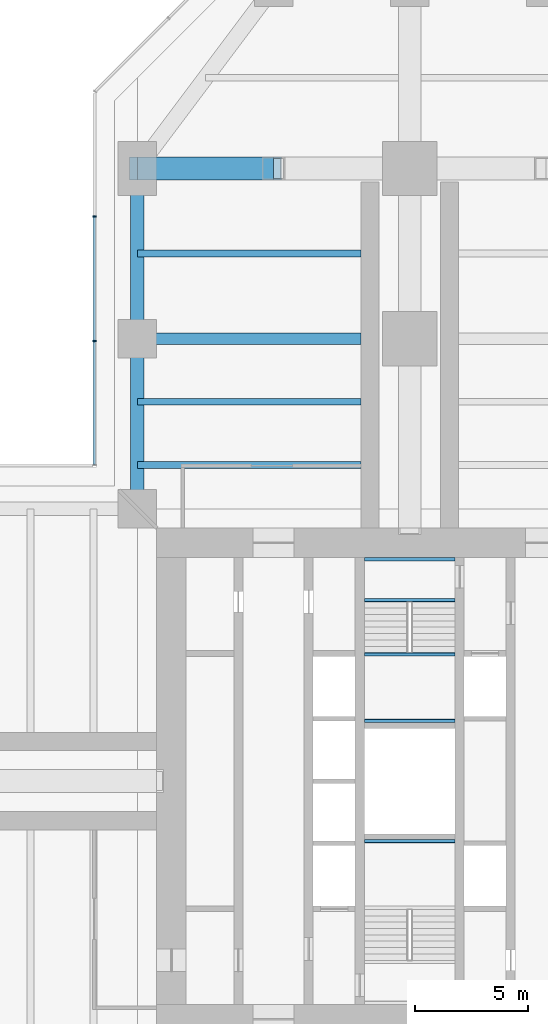
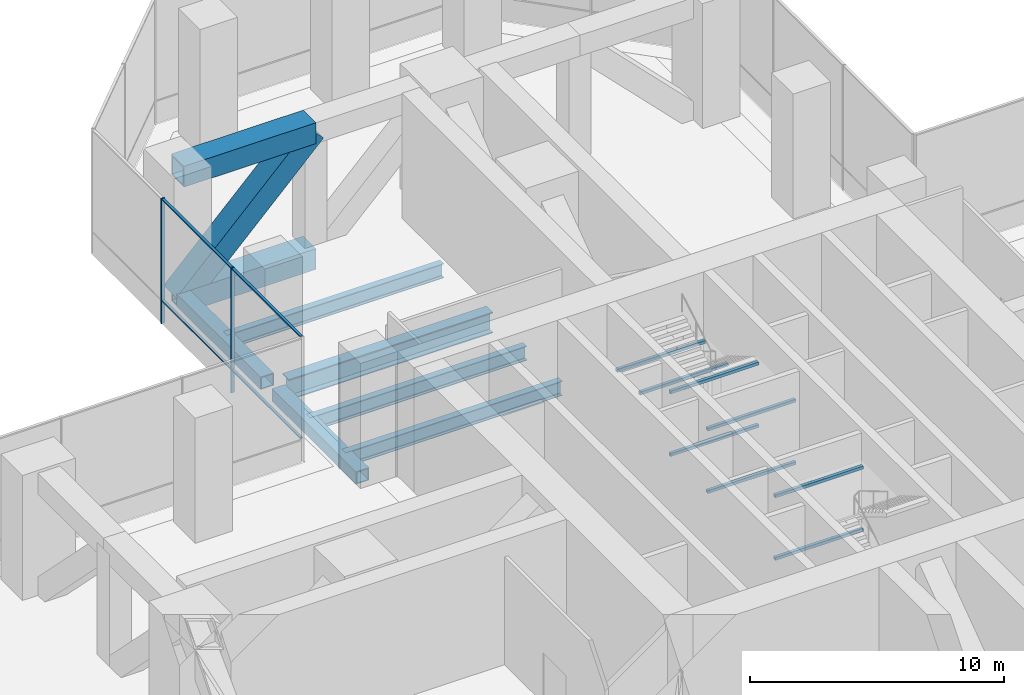
# One storey, part 8 of 20: 14 beams, 9 members, 1 element without a shape of its own.
"""IFC4 building model written with IfcOpenShell, lengths in metres."""

from ifc_helpers import new_model, si_unit, direction, frame, origin, origin_2d, place, context, subcontext, project, spatial, rectangle, hollow_rectangle, i_section, extrude, material, material_profile, profile_set, type_object, element, aggregate, save


model = new_model("IFC4")

# Units and contexts
model_context = context("Model", 3, precision=1e-05, world=origin(), true_north=direction((0.0, 1.0)))
body_context = subcontext(model_context, "Body", "Model", "MODEL_VIEW")
ifc_project = project(units=[si_unit("LENGTHUNIT", "METRE"), si_unit("AREAUNIT", "SQUARE_METRE"), si_unit("VOLUMEUNIT", "CUBIC_METRE"), si_unit("PLANEANGLEUNIT", "RADIAN"), si_unit("MASSUNIT", "GRAM", prefix="KILO")], contexts=[model_context])

# Site, building, storey
site_placement = place(None, origin())
site = spatial("IfcSite", under=ifc_project, at=site_placement, CompositionType="ELEMENT")
building_placement = place(site_placement, origin())
building = spatial("IfcBuilding", under=site, at=building_placement, Name="Mizan Broadcast Tower", CompositionType="ELEMENT")
storey_placement = place(building_placement, frame((0.0, 0.0, 118.199951171875)))
storey = spatial("IfcBuildingStorey", under=building, at=storey_placement, Name="L26", CompositionType="ELEMENT", Elevation=118.199951171875)

# Members
ifc_material_1 = material(Name="Steel S460", Category="steel")
ifc_material_profile_1 = material_profile(ifc_material_1, hollow_rectangle(XDim=1.0, YDim=1.0, WallThickness=0.080078125, at=origin_2d()), Name="BOX 1000x1000x80")
ifc_profile_set_1 = profile_set([ifc_material_profile_1], Name="Steel S460")
member_type_1 = type_object("IfcMemberType", Name="BELT TRUSS BT2 CHORD BOX 1000x1000x80", PredefinedType="CHORD", material=ifc_profile_set_1)
for number, where, z_axis, x_axis, name in (
    (1, (-6.0, 27.0, -0.679931640625), (-1.0, 0.0, 0.0), (0.0, -1.0, 0.0), "Belt truss BT2-N27 bottom chord 4"),
    (2, (-6.0, 27.0, 5.3701171875), (-1.0, 0.0, 0.0), (0.0, -1.0, 0.0), "Belt truss BT2-N27 top chord 4"),
):
    element("IfcMember", number, at=place(storey_placement, frame(where, z_axis=z_axis, x_axis=x_axis)), inside=storey, type_object=member_type_1, Name=name, PredefinedType="CHORD", context=body_context, shape_type="SweptSolid", body=[
        extrude(hollow_rectangle(XDim=1.0, YDim=1.0, WallThickness=0.080078125, at=origin_2d()), origin(), (0.0, 0.0, 1.0), 6.0),
    ])
ifc_material_2 = material(Name="Steel S460", Category="steel")
ifc_material_profile_2 = material_profile(ifc_material_2, hollow_rectangle(XDim=1.0, YDim=1.0, WallThickness=0.06005859375, at=origin_2d()), Name="BOX 1000x1000x60")
ifc_profile_set_2 = profile_set([ifc_material_profile_2], Name="Steel S460")
member_type_2 = type_object("IfcMemberType", Name="BELT TRUSS BT2 DIAGONAL BOX 1000x1000x60", PredefinedType="BRACE", material=ifc_profile_set_2)
member_1_placement = place(storey_placement, frame((-12.0, 27.0, -0.679931640625), z_axis=(0.704163801085, 0.0, 0.710037563261), x_axis=(0.0, 1.0, 0.0)))
element("IfcMember", 3, at=member_1_placement, inside=storey, type_object=member_type_2, Name="Belt truss BT2-N27 diagonal 4", PredefinedType="BRACE", context=body_context, shape_type="SweptSolid", body=[
    extrude(hollow_rectangle(XDim=1.0, YDim=1.0, WallThickness=0.06005859375, at=origin_2d()), origin(), (0.0, 0.0, 1.0), 8.520751953125),
])

# Beams
ifc_material_3 = material(Name="Steel S355", Category="steel")
ifc_material_profile_3 = material_profile(ifc_material_3, hollow_rectangle(XDim=0.60009765625, YDim=0.60009765625, WallThickness=0.0400390625, at=origin_2d()), Name="BOX 600x600x40")
ifc_profile_set_3 = profile_set([ifc_material_profile_3], Name="Steel S355")
beam_type_1 = type_object("IfcBeamType", Name="EDGE BEAM BOX 600x600x40", PredefinedType="SPANDREL", material=ifc_profile_set_3)
for number, where, z_axis, x_axis, name in (
    (4, (-12.0, 12.449951171875, -0.47998046875), (0.0, 1.0, 0.0), (-1.0, 0.0, 0.0), "Edge beam BOX 600x600x40 L26 north arm"),
    (5, (-12.0, 19.949951171875, -0.47998046875), (0.0, 1.0, 0.0), (-1.0, 0.0, 0.0), "Edge beam BOX 600x600x40 L26 north arm"),
):
    element("IfcBeam", number, at=place(storey_placement, frame(where, z_axis=z_axis, x_axis=x_axis)), inside=storey, type_object=beam_type_1, Name=name, PredefinedType="SPANDREL", context=body_context, shape_type="SweptSolid", body=[
        extrude(hollow_rectangle(XDim=0.60009765625, YDim=0.60009765625, WallThickness=0.0400390625, at=origin_2d()), origin(), (0.0, 0.0, 1.0), 6.60009765625),
    ])
ifc_material_4 = material(Name="Steel S460", Category="steel")
ifc_material_profile_4 = material_profile(ifc_material_4, i_section(OverallWidth=0.5, OverallDepth=1.0, WebThickness=0.02490234375, FlangeThickness=0.050048828125, at=origin_2d()), Name="WPG 1000x500")
ifc_profile_set_4 = profile_set([ifc_material_profile_4], Name="Steel S460")
beam_type_2 = type_object("IfcBeamType", Name="GIRDER WPG 1000x500", PredefinedType="BEAM", material=ifc_profile_set_4)
beam_placement = place(storey_placement, frame((-11.408935546875, 19.5, -0.679931640625), z_axis=(1.0, 0.0, 0.0), x_axis=(0.0, 1.0, 0.0)))
element("IfcBeam", 6, at=beam_placement, inside=storey, type_object=beam_type_2, Name="Girder WPG 1000x500 L26 north arm", PredefinedType="BEAM", context=body_context, shape_type="SweptSolid", body=[
    extrude(i_section(OverallWidth=0.5, OverallDepth=1.0, WebThickness=0.02490234375, FlangeThickness=0.050048828125, at=origin_2d()), origin(), (0.0, 0.0, 1.0), 9.259033203125),
])

# Curtain wall, members
ifc_material_5 = material(Name="Aluminium framed glazing", Category="aluminium")
curtain_wall_type = type_object("IfcCurtainWallType", Name="PLANT LOUVRE", PredefinedType="USERDEFINED", material=ifc_material_5)
curtain_wall_placement = place(storey_placement, origin())
curtain_wall = element("IfcCurtainWall", 7, at=curtain_wall_placement, inside=storey, type_object=curtain_wall_type, Name="Plant louvre L26 N side", ObjectType="PLANT LOUVRE", PredefinedType="USERDEFINED")
ifc_material_6 = material(Name="Aluminium, pale anodised", Category="aluminium")
ifc_material_profile_5 = material_profile(ifc_material_6, rectangle(XDim=0.159912109375, YDim=0.06005859375, at=origin_2d()), Name="MULLION 160x60")
ifc_profile_set_5 = profile_set([ifc_material_profile_5], Name="Aluminium, pale anodised")
member_type_3 = type_object("IfcMemberType", Name="INNER SKIN MULLION 60x160", PredefinedType="MULLION", material=ifc_profile_set_5)
member_2_placement = place(storey_placement, frame((-13.89990234375, 24.8818359375, 0.0), z_axis=(0.0, 0.0, 1.0), x_axis=(1.0, 0.0, 0.0)))
member_2 = element("IfcMember", 8, at=member_2_placement, type_object=member_type_3, Name="Plant louvre L26 N side mullion 2", PredefinedType="MULLION", context=body_context, shape_type="SweptSolid", body=[
    extrude(rectangle(XDim=0.159912109375, YDim=0.06005859375, at=origin_2d()), origin(), (0.0, 0.0, 1.0), 6.0),
])
member_3_placement = place(storey_placement, frame((-13.89990234375, 19.390869140625, 0.0), z_axis=(0.0, 0.0, 1.0), x_axis=(1.0, 0.0, 0.0)))
member_3 = element("IfcMember", 9, at=member_3_placement, type_object=member_type_3, Name="Plant louvre L26 N side mullion 3", PredefinedType="MULLION", context=body_context, shape_type="SweptSolid", body=[
    extrude(rectangle(XDim=0.159912109375, YDim=0.06005859375, at=origin_2d()), origin(), (0.0, 0.0, 1.0), 6.0),
])
ifc_material_7 = material(Name="Aluminium, pale anodised", Category="aluminium")
ifc_material_profile_6 = material_profile(ifc_material_7, rectangle(XDim=0.1201171875, YDim=0.06005859375, at=origin_2d()), Name="TRANSOM 120x60")
ifc_profile_set_6 = profile_set([ifc_material_profile_6], Name="Aluminium, pale anodised")
member_type_4 = type_object("IfcMemberType", Name="INNER SKIN TRANSOM 60x120", PredefinedType="USERDEFINED", material=ifc_profile_set_6)
member_4_placement = place(storey_placement, frame((-13.89990234375, 24.851806640625, 1.10009765625), z_axis=(0.0, -1.0, 0.0), x_axis=(1.0, 0.0, 0.0)))
member_4 = element("IfcMember", 10, at=member_4_placement, type_object=member_type_4, Name="Plant louvre L26 N side transom 2.1", ObjectType="TRANSOM", PredefinedType="USERDEFINED", context=body_context, shape_type="SweptSolid", body=[
    extrude(rectangle(XDim=0.1201171875, YDim=0.06005859375, at=origin_2d()), origin(), (0.0, 0.0, 1.0), 5.430908203125),
])
member_5_placement = place(storey_placement, frame((-13.89990234375, 24.851806640625, 5.969970703125), z_axis=(0.0, -1.0, 0.0), x_axis=(1.0, 0.0, 0.0)))
member_5 = element("IfcMember", 11, at=member_5_placement, type_object=member_type_4, Name="Plant louvre L26 N side transom 2.2", ObjectType="TRANSOM", PredefinedType="USERDEFINED", context=body_context, shape_type="SweptSolid", body=[
    extrude(rectangle(XDim=0.1201171875, YDim=0.06005859375, at=origin_2d()), origin(), (0.0, 0.0, 1.0), 5.430908203125),
])
member_6_placement = place(storey_placement, frame((-13.89990234375, 19.36083984375, 1.10009765625), z_axis=(0.0, -1.0, 0.0), x_axis=(1.0, 0.0, 0.0)))
member_6 = element("IfcMember", 12, at=member_6_placement, type_object=member_type_4, Name="Plant louvre L26 N side transom 3.1", ObjectType="TRANSOM", PredefinedType="USERDEFINED", context=body_context, shape_type="SweptSolid", body=[
    extrude(rectangle(XDim=0.1201171875, YDim=0.06005859375, at=origin_2d()), origin(), (0.0, 0.0, 1.0), 5.40087890625),
])
member_7_placement = place(storey_placement, frame((-13.89990234375, 19.36083984375, 5.969970703125), z_axis=(0.0, -1.0, 0.0), x_axis=(1.0, 0.0, 0.0)))
member_7 = element("IfcMember", 13, at=member_7_placement, type_object=member_type_4, Name="Plant louvre L26 N side transom 3.2", ObjectType="TRANSOM", PredefinedType="USERDEFINED", context=body_context, shape_type="SweptSolid", body=[
    extrude(rectangle(XDim=0.1201171875, YDim=0.06005859375, at=origin_2d()), origin(), (0.0, 0.0, 1.0), 5.40087890625),
])
aggregate(curtain_wall, [member_2, member_3, member_4, member_5, member_6, member_7])

# Beams
ifc_material_8 = material(Name="Steel S355", Category="steel")
ifc_material_profile_7 = material_profile(ifc_material_8, hollow_rectangle(XDim=0.14990234375, YDim=0.14990234375, WallThickness=0.008056640625, InnerFilletRadius=0.008056640625, OuterFilletRadius=0.011962890625, at=origin_2d()), Name="SHS 150x150x8")
ifc_profile_set_7 = profile_set([ifc_material_profile_7], Name="Steel S355")
beam_type_3 = type_object("IfcBeamType", Name="LANDING TRIMMER SHS 150x150x8", PredefinedType="BEAM", material=ifc_profile_set_7)
for number, where, z_axis, x_axis, name in (
    (14, (-2.0, -2.64990234375, 1.22509765625), (1.0, 0.0, 0.0), (0.0, 1.0, 0.0), "Stair A landing trimmer L26"),
    (15, (-2.0, -2.64990234375, 4.22509765625), (1.0, 0.0, 0.0), (0.0, 1.0, 0.0), "Stair A landing trimmer L26"),
    (16, (2.0, 5.5849609375, 1.22509765625), (-1.0, 0.0, 0.0), (0.0, -1.0, 0.0), "Stair B landing trimmer L26"),
    (17, (2.0, 2.64990234375, 1.22509765625), (-1.0, 0.0, 0.0), (0.0, -1.0, 0.0), "Stair B landing trimmer L26"),
    (18, (2.0, 9.77490234375, 2.72509765625), (-1.0, 0.0, 0.0), (0.0, -1.0, 0.0), "Stair B landing trimmer L26"),
    (19, (2.0, 7.97509765625, 2.72509765625), (-1.0, 0.0, 0.0), (0.0, -1.0, 0.0), "Stair B landing trimmer L26"),
    (20, (2.0, 5.5849609375, 4.22509765625), (-1.0, 0.0, 0.0), (0.0, -1.0, 0.0), "Stair B landing trimmer L26"),
    (21, (2.0, 2.64990234375, 4.22509765625), (-1.0, 0.0, 0.0), (0.0, -1.0, 0.0), "Stair B landing trimmer L26"),
):
    element("IfcBeam", number, at=place(storey_placement, frame(where, z_axis=z_axis, x_axis=x_axis)), inside=storey, type_object=beam_type_3, Name=name, PredefinedType="BEAM", context=body_context, shape_type="SweptSolid", body=[
        extrude(hollow_rectangle(XDim=0.14990234375, YDim=0.14990234375, WallThickness=0.008056640625, InnerFilletRadius=0.008056640625, OuterFilletRadius=0.011962890625, at=origin_2d()), origin(), (0.0, 0.0, 1.0), 4.0),
    ])
ifc_material_9 = material(Name="Steel S355", Category="steel")
ifc_material_profile_8 = material_profile(ifc_material_9, i_section(OverallWidth=0.300048828125, OverallDepth=0.68994140625, WebThickness=0.014404296875, FlangeThickness=0.027099609375, FilletRadius=0.027099609375, at=origin_2d()), Name="HEA 700")
ifc_profile_set_8 = profile_set([ifc_material_profile_8], Name="Steel S355")
beam_type_4 = type_object("IfcBeamType", Name="SECONDARY BEAM HEA 700", PredefinedType="JOIST", material=ifc_profile_set_8)
for number, where, z_axis, x_axis, name in (
    (22, (-12.0, 13.933349609375, -0.52490234375), (1.0, 0.0, 0.0), (0.0, 1.0, 0.0), "Secondary beam HEA 700 L26 north arm"),
    (23, (-12.0, 16.716552734375, -0.52490234375), (1.0, 0.0, 0.0), (0.0, 1.0, 0.0), "Secondary beam HEA 700 L26 north arm"),
    (24, (-12.0, 23.25, -0.52490234375), (1.0, 0.0, 0.0), (0.0, 1.0, 0.0), "Secondary beam HEA 700 L26 north arm"),
):
    element("IfcBeam", number, at=place(storey_placement, frame(where, z_axis=z_axis, x_axis=x_axis)), inside=storey, type_object=beam_type_4, Name=name, PredefinedType="JOIST", context=body_context, shape_type="SweptSolid", body=[
        extrude(i_section(OverallWidth=0.300048828125, OverallDepth=0.68994140625, WebThickness=0.014404296875, FlangeThickness=0.027099609375, FilletRadius=0.027099609375, at=origin_2d()), origin(), (0.0, 0.0, 1.0), 9.85009765625),
    ])

save(model, "model.ifc")
